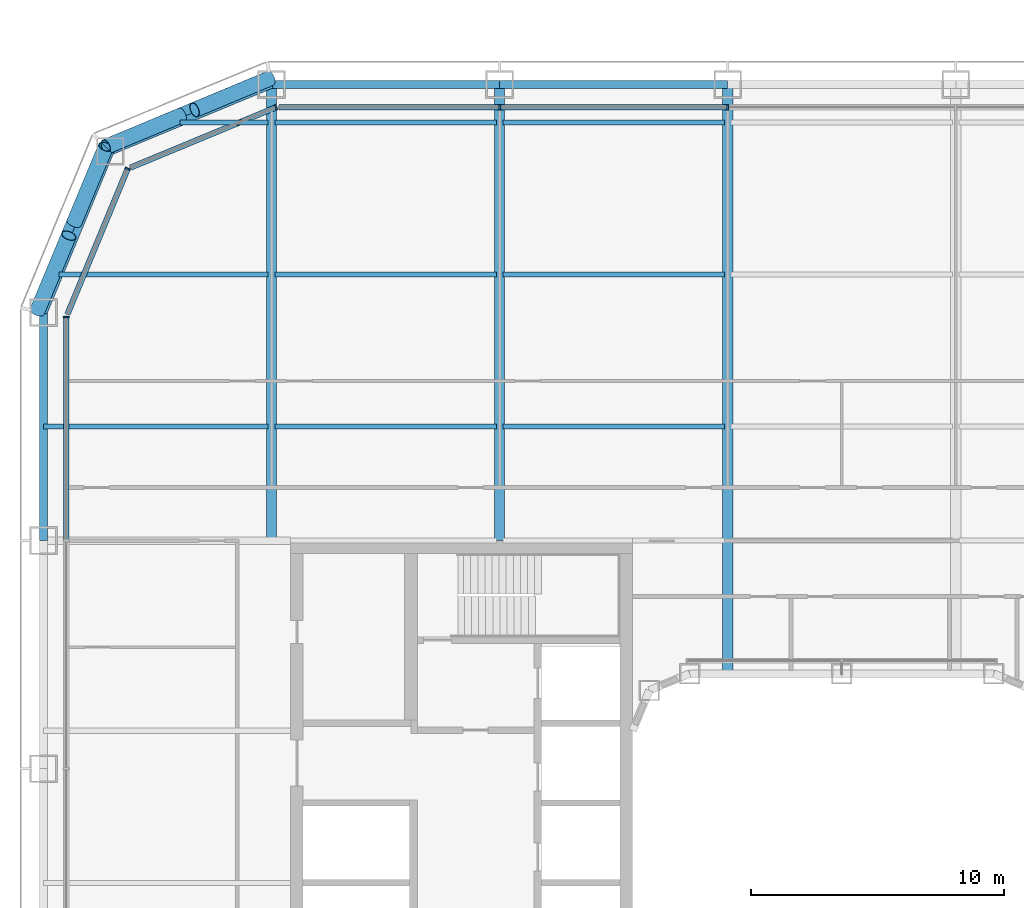
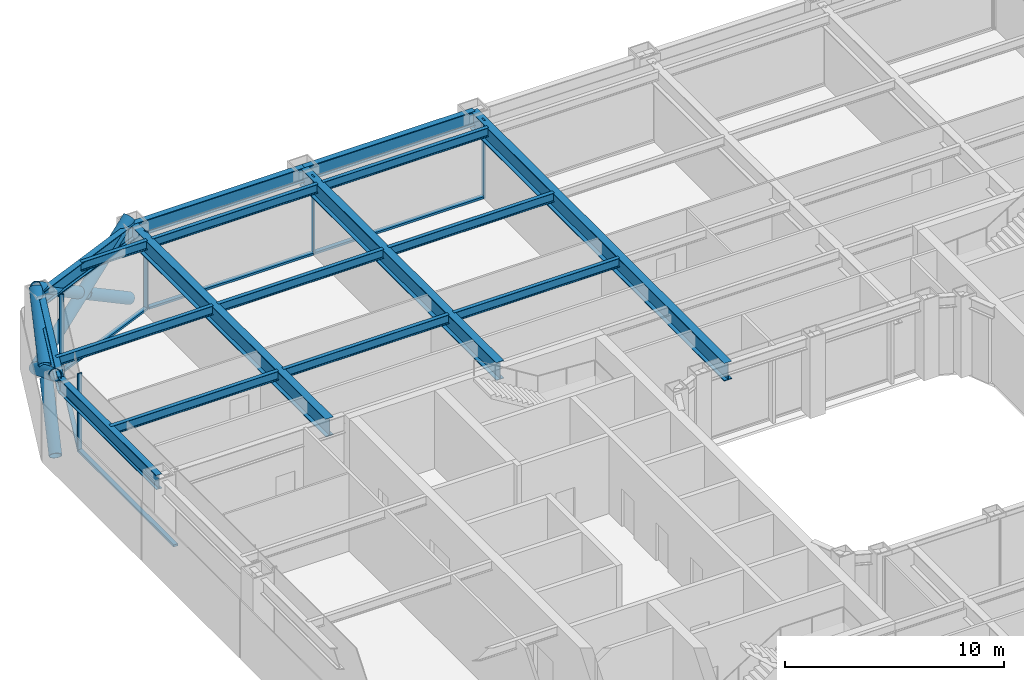
# One storey, part 7 of 30: 17 beams, 16 members, 4 elements without a shape of their own.
"""IFC4 building model written with IfcOpenShell, lengths in metres."""

from ifc_helpers import new_model, si_unit, direction, frame, origin, origin_2d, place, context, subcontext, project, spatial, rectangle, hollow_circle, i_section, extrude, material, layer, layer_set, material_profile, profile_set, type_object, element, aggregate, save


model = new_model("IFC4")

# Units and contexts
model_context = context("Model", 3, precision=1e-05, world=origin(), true_north=direction((0.0, 1.0)))
body_context = subcontext(model_context, "Body", "Model", "MODEL_VIEW")
ifc_project = project(units=[si_unit("LENGTHUNIT", "METRE"), si_unit("AREAUNIT", "SQUARE_METRE"), si_unit("VOLUMEUNIT", "CUBIC_METRE"), si_unit("PLANEANGLEUNIT", "RADIAN"), si_unit("MASSUNIT", "GRAM", prefix="KILO")], contexts=[model_context])

# Site, building, storey
site_placement = place(None, origin())
site = spatial("IfcSite", under=ifc_project, at=site_placement, CompositionType="ELEMENT")
building_placement = place(site_placement, origin())
building = spatial("IfcBuilding", under=site, at=building_placement, Name="Siwar Civic Tower", CompositionType="ELEMENT")
storey_placement = place(building_placement, frame((0.0, 0.0, 26.699951171875)))
storey = spatial("IfcBuildingStorey", under=building, at=storey_placement, Name="L05", CompositionType="ELEMENT", Elevation=26.699951171875)

# Curtain wall, members
ifc_material_1 = material(Name="Aluminium and glass", Category="aluminium")
ifc_layer_1 = layer(ifc_material_1, 0.219970703125)
ifc_layer_set_1 = layer_set([ifc_layer_1], Name="Aluminium and glass")
curtain_wall_type_1 = type_object("IfcCurtainWallType", Name="ENV-CW-A", PredefinedType="NOTDEFINED", material=ifc_layer_set_1)
curtain_wall_1_placement = place(storey_placement, origin())
curtain_wall_1 = element("IfcCurtainWall", 1, at=curtain_wall_1_placement, inside=storey, type_object=curtain_wall_type_1, Name="Curtain wall A N", PredefinedType="NOTDEFINED")
ifc_material_2 = material(Name="Aluminium 6063-T6", Category="aluminium")
ifc_material_profile_1 = material_profile(ifc_material_2, rectangle(XDim=0.219970703125, YDim=0.070068359375, at=origin_2d()), Name="AL 220x70")
ifc_profile_set_1 = profile_set([ifc_material_profile_1], Name="Aluminium 6063-T6")
member_type_1 = type_object("IfcMemberType", Name="ENV-MULLION-A", PredefinedType="MULLION", material=ifc_profile_set_1)
member_1_placement = place(storey_placement, frame((-4.5, 30.60009765625, 0.0), z_axis=(0.0, 0.0, 1.0), x_axis=(0.0, -1.0, 0.0)))
member_1 = element("IfcMember", 2, at=member_1_placement, type_object=member_type_1, Name="Mullion A N 4", PredefinedType="MULLION", context=body_context, shape_type="SweptSolid", body=[
    extrude(rectangle(XDim=0.219970703125, YDim=0.070068359375, at=origin_2d()), origin(), (0.0, 0.0, 1.0), 4.35009765625),
])
member_2_placement = place(storey_placement, frame((-13.5, 30.60009765625, 0.0), z_axis=(0.0, 0.0, 1.0), x_axis=(0.0, -1.0, 0.0)))
member_2 = element("IfcMember", 3, at=member_2_placement, type_object=member_type_1, Name="Mullion A N 5", PredefinedType="MULLION", context=body_context, shape_type="SweptSolid", body=[
    extrude(rectangle(XDim=0.219970703125, YDim=0.070068359375, at=origin_2d()), origin(), (0.0, 0.0, 1.0), 4.35009765625),
])

# Curtain wall, member
ifc_material_3 = material(Name="Aluminium clad insulated panel", Category="aluminium")
ifc_layer_2 = layer(ifc_material_3, 0.219970703125)
ifc_layer_set_2 = layer_set([ifc_layer_2], Name="Aluminium clad insulated panel")
curtain_wall_type_2 = type_object("IfcCurtainWallType", Name="ENV-CW-AX", PredefinedType="NOTDEFINED", material=ifc_layer_set_2)
curtain_wall_2_placement = place(storey_placement, origin())
curtain_wall_2 = element("IfcCurtainWall", 4, at=curtain_wall_2_placement, inside=storey, type_object=curtain_wall_type_2, Name="Curtain wall A NW1", PredefinedType="NOTDEFINED")
member_3_placement = place(storey_placement, frame((-22.321044921875, 30.60009765625, 0.0), z_axis=(0.0, 0.0, 1.0), x_axis=(0.382683432365, -0.923879532511, 0.0)))
member_3 = element("IfcMember", 5, at=member_3_placement, type_object=member_type_1, Name="Mullion A NW1 1", PredefinedType="MULLION", context=body_context, shape_type="SweptSolid", body=[
    extrude(rectangle(XDim=0.219970703125, YDim=0.070068359375, at=origin_2d()), origin(), (0.0, 0.0, 1.0), 4.35009765625),
])

curtain_wall_3_placement = place(storey_placement, origin())
curtain_wall_3 = element("IfcCurtainWall", 6, at=curtain_wall_3_placement, inside=storey, type_object=curtain_wall_type_2, Name="Curtain wall A NW2", PredefinedType="NOTDEFINED")
member_4_placement = place(storey_placement, frame((-28.175048828125, 28.175048828125, 0.0), z_axis=(0.0, 0.0, 1.0), x_axis=(0.923879532511, -0.382683432365, 0.0)))
member_4 = element("IfcMember", 7, at=member_4_placement, type_object=member_type_1, Name="Mullion A NW2 1", PredefinedType="MULLION", context=body_context, shape_type="SweptSolid", body=[
    extrude(rectangle(XDim=0.219970703125, YDim=0.070068359375, at=origin_2d()), origin(), (0.0, 0.0, 1.0), 4.35009765625),
])

curtain_wall_4_placement = place(storey_placement, origin())
curtain_wall_4 = element("IfcCurtainWall", 8, at=curtain_wall_4_placement, inside=storey, type_object=curtain_wall_type_1, Name="Curtain wall A W", PredefinedType="NOTDEFINED")
member_5_placement = place(storey_placement, frame((-30.60009765625, 22.321044921875, 0.0), z_axis=(0.0, 0.0, 1.0), x_axis=(1.0, 0.0, 0.0)))
member_5 = element("IfcMember", 9, at=member_5_placement, type_object=member_type_1, Name="Mullion A W 1", PredefinedType="MULLION", context=body_context, shape_type="SweptSolid", body=[
    extrude(rectangle(XDim=0.219970703125, YDim=0.070068359375, at=origin_2d()), origin(), (0.0, 0.0, 1.0), 4.35009765625),
])

# Member
ifc_material_4 = material(Name="Aluminium 6063-T6", Category="aluminium")
ifc_material_profile_2 = material_profile(ifc_material_4, rectangle(XDim=0.219970703125, YDim=0.1201171875, at=origin_2d()), Name="AL 220x120")
ifc_profile_set_2 = profile_set([ifc_material_profile_2], Name="Aluminium 6063-T6")
member_type_2 = type_object("IfcMemberType", Name="ENV-TRANSOM-A", PredefinedType="USERDEFINED", material=ifc_profile_set_2)
member_6_placement = place(storey_placement, frame((-4.534912109375, 30.60009765625, 0.06005859375), z_axis=(-1.0, 0.0, 0.0), x_axis=(0.0, -1.0, 0.0)))
member_6 = element("IfcMember", 10, at=member_6_placement, type_object=member_type_2, Name="Transom A N 4", ObjectType="TRANSOM", PredefinedType="USERDEFINED", context=body_context, shape_type="SweptSolid", body=[
    extrude(rectangle(XDim=0.219970703125, YDim=0.1201171875, at=origin_2d()), origin(), (0.0, 0.0, 1.0), 8.93017578125),
])

member_7_placement = place(storey_placement, frame((-13.534912109375, 30.60009765625, 0.06005859375), z_axis=(-1.0, 0.0, 0.0), x_axis=(0.0, -1.0, 0.0)))
member_7 = element("IfcMember", 11, at=member_7_placement, type_object=member_type_2, Name="Transom A N 5", ObjectType="TRANSOM", PredefinedType="USERDEFINED", context=body_context, shape_type="SweptSolid", body=[
    extrude(rectangle(XDim=0.219970703125, YDim=0.1201171875, at=origin_2d()), origin(), (0.0, 0.0, 1.0), 8.66357421875),
])

aggregate(curtain_wall_1, [member_1, member_2, member_6, member_7])

member_8_placement = place(storey_placement, frame((-22.353271484375, 30.586669921875, 0.06005859375), z_axis=(-0.923873326341, -0.382698415042, 0.0), x_axis=(0.382698415042, -0.923873326341, 0.0)))
member_8 = element("IfcMember", 12, at=member_8_placement, type_object=member_type_2, Name="Transom A NW1 1", ObjectType="TRANSOM", PredefinedType="USERDEFINED", context=body_context, shape_type="SweptSolid", body=[
    extrude(rectangle(XDim=0.219970703125, YDim=0.1201171875, at=origin_2d()), origin(), (0.0, 0.0, 1.0), 6.17919921875),
])

aggregate(curtain_wall_2, [member_3, member_8])

member_9_placement = place(storey_placement, frame((-28.1884765625, 28.142822265625, 0.06005859375), z_axis=(-0.382698415042, -0.923873326341, 0.0), x_axis=(0.923873326341, -0.382698415042, 0.0)))
member_9 = element("IfcMember", 13, at=member_9_placement, type_object=member_type_2, Name="Transom A NW2 1", ObjectType="TRANSOM", PredefinedType="USERDEFINED", context=body_context, shape_type="SweptSolid", body=[
    extrude(rectangle(XDim=0.219970703125, YDim=0.1201171875, at=origin_2d()), origin(), (0.0, 0.0, 1.0), 6.17919921875),
])

aggregate(curtain_wall_3, [member_4, member_9])

member_10_placement = place(storey_placement, frame((-30.60009765625, 22.285888671875, 0.06005859375), z_axis=(0.0, -1.0, 0.0), x_axis=(1.0, 0.0, 0.0)))
member_10 = element("IfcMember", 14, at=member_10_placement, type_object=member_type_2, Name="Transom A W 1", ObjectType="TRANSOM", PredefinedType="USERDEFINED", context=body_context, shape_type="SweptSolid", body=[
    extrude(rectangle(XDim=0.219970703125, YDim=0.1201171875, at=origin_2d()), origin(), (0.0, 0.0, 1.0), 8.7509765625),
])

aggregate(curtain_wall_4, [member_5, member_10])

# Members
ifc_material_5 = material(Name="Steel S355", Category="steel")
ifc_material_profile_3 = material_profile(ifc_material_5, hollow_circle(Radius=0.304931640625, WallThickness=0.030029296875, at=origin_2d()), Name="CHS610x30")
ifc_profile_set_3 = profile_set([ifc_material_profile_3], Name="Steel S355")
member_type_3 = type_object("IfcMemberType", Name="STR-BR-CHS610x30", PredefinedType="BRACE", material=ifc_profile_set_3)
member_11_placement = place(storey_placement, frame((-29.040771484375, 29.040771484375, 0.0), z_axis=(-0.323905527954, -0.777554562952, 0.538975055633), x_axis=(0.923108759191, -0.384538969033, 0.0)))
element("IfcMember", 15, at=member_11_placement, inside=storey, type_object=member_type_3, Name="L05/brc/ANW1-4-0-1", PredefinedType="BRACE", context=body_context, shape_type="SweptSolid", body=[
    extrude(hollow_circle(Radius=0.304931640625, WallThickness=0.030029296875, at=origin_2d()), origin(), (0.0, 0.0, 1.0), 8.34912109375),
])
member_12_placement = place(storey_placement, frame((-31.7451171875, 22.548828125, 0.0), z_axis=(0.323882123145, 0.777533059308, 0.539020140617), x_axis=(-0.923114847559, 0.384524353215, 0.0)))
element("IfcMember", 16, at=member_12_placement, inside=storey, type_object=member_type_3, Name="L05/brc/ANW1-4-0-2", PredefinedType="BRACE", context=body_context, shape_type="SweptSolid", body=[
    extrude(hollow_circle(Radius=0.304931640625, WallThickness=0.030029296875, at=origin_2d()), origin(), (0.0, 0.0, 1.0), 3.843505859375),
])
member_13_placement = place(storey_placement, frame((-30.285888671875, 26.052001953125, 2.428466796875), z_axis=(0.323934068367, 0.777568797048, 0.538937366685), x_axis=(-0.923099230484, 0.384561842466, 0.0)))
element("IfcMember", 17, at=member_13_placement, inside=storey, type_object=member_type_3, Name="L05/brc/ANW1-4-0-3", PredefinedType="BRACE", context=body_context, shape_type="SweptSolid", body=[
    extrude(hollow_circle(Radius=0.304931640625, WallThickness=0.030029296875, at=origin_2d()), origin(), (0.0, 0.0, 1.0), 3.84375),
])
member_14_placement = place(storey_placement, frame((-29.040771484375, 29.040771484375, 0.0), z_axis=(0.777554562952, 0.323905527954, 0.538975055633), x_axis=(-0.384538969033, 0.923108759191, 0.0)))
element("IfcMember", 18, at=member_14_placement, inside=storey, type_object=member_type_3, Name="L05/brc/ANW1-4-0-0", PredefinedType="BRACE", context=body_context, shape_type="SweptSolid", body=[
    extrude(hollow_circle(Radius=0.304931640625, WallThickness=0.030029296875, at=origin_2d()), origin(), (0.0, 0.0, 1.0), 8.34912109375),
])
member_15_placement = place(storey_placement, frame((-22.548828125, 31.7451171875, 0.0), z_axis=(-0.777533059308, -0.323882123145, 0.539020140617), x_axis=(0.384524353215, -0.923114847559, 0.0)))
element("IfcMember", 19, at=member_15_placement, inside=storey, type_object=member_type_3, Name="L05/brc/ANW1-4-0-4", PredefinedType="BRACE", context=body_context, shape_type="SweptSolid", body=[
    extrude(hollow_circle(Radius=0.304931640625, WallThickness=0.030029296875, at=origin_2d()), origin(), (0.0, 0.0, 1.0), 3.843505859375),
])
member_16_placement = place(storey_placement, frame((-26.052001953125, 30.285888671875, 2.428466796875), z_axis=(-0.777568797048, -0.323934068367, 0.538937366685), x_axis=(0.384561842466, -0.923099230484, 0.0)))
element("IfcMember", 20, at=member_16_placement, inside=storey, type_object=member_type_3, Name="L05/brc/ANW1-4-0-5", PredefinedType="BRACE", context=body_context, shape_type="SweptSolid", body=[
    extrude(hollow_circle(Radius=0.304931640625, WallThickness=0.030029296875, at=origin_2d()), origin(), (0.0, 0.0, 1.0), 3.84375),
])

# Beams
ifc_material_6 = material(Name="Steel S355", Category="steel")
ifc_material_profile_4 = material_profile(ifc_material_6, i_section(OverallWidth=0.199951171875, OverallDepth=0.5, WebThickness=0.01025390625, FlangeThickness=0.01611328125, FilletRadius=0.02099609375, at=origin_2d()), Name="IPE500")
ifc_profile_set_4 = profile_set([ifc_material_profile_4], Name="Steel S355")
beam_type_1 = type_object("IfcBeamType", Name="STR-FB-IPE500", PredefinedType="JOIST", material=ifc_profile_set_4)
beam_1_placement = place(storey_placement, frame((-31.5, 18.0, 4.10009765625), z_axis=(1.0, 0.0, 0.0), x_axis=(0.0, 1.0, 0.0)))
element("IfcBeam", 21, at=beam_1_placement, inside=storey, type_object=beam_type_1, Name="L05/bm/F046", PredefinedType="JOIST", context=body_context, shape_type="SweptSolid", body=[
    extrude(i_section(OverallWidth=0.199951171875, OverallDepth=0.5, WebThickness=0.01025390625, FlangeThickness=0.01611328125, FilletRadius=0.02099609375, at=origin_2d()), origin(), (0.0, 0.0, 1.0), 8.8701171875),
])
for number, where, z_axis, x_axis, name in (
    (22, (-22.3701171875, 18.0, 4.10009765625), (1.0, 0.0, 0.0), (0.0, 1.0, 0.0), "L05/bm/F047"),
    (23, (-13.3701171875, 18.0, 4.10009765625), (1.0, 0.0, 0.0), (0.0, 1.0, 0.0), "L05/bm/F048"),
):
    element("IfcBeam", number, at=place(storey_placement, frame(where, z_axis=z_axis, x_axis=x_axis)), inside=storey, type_object=beam_type_1, Name=name, PredefinedType="JOIST", context=body_context, shape_type="SweptSolid", body=[
        extrude(i_section(OverallWidth=0.199951171875, OverallDepth=0.5, WebThickness=0.01025390625, FlangeThickness=0.01611328125, FilletRadius=0.02099609375, at=origin_2d()), origin(), (0.0, 0.0, 1.0), 8.740234375),
    ])
beam_2_placement = place(storey_placement, frame((-30.878662109375, 24.0, 4.10009765625), z_axis=(1.0, 0.0, 0.0), x_axis=(0.0, 1.0, 0.0)))
element("IfcBeam", 24, at=beam_2_placement, inside=storey, type_object=beam_type_1, Name="L05/bm/F053", PredefinedType="JOIST", context=body_context, shape_type="SweptSolid", body=[
    extrude(i_section(OverallWidth=0.199951171875, OverallDepth=0.5, WebThickness=0.01025390625, FlangeThickness=0.01611328125, FilletRadius=0.02099609375, at=origin_2d()), origin(), (0.0, 0.0, 1.0), 8.248779296875),
])
for number, where, z_axis, x_axis, name in (
    (25, (-22.3701171875, 24.0, 4.10009765625), (1.0, 0.0, 0.0), (0.0, 1.0, 0.0), "L05/bm/F054"),
    (26, (-13.3701171875, 24.0, 4.10009765625), (1.0, 0.0, 0.0), (0.0, 1.0, 0.0), "L05/bm/F055"),
):
    element("IfcBeam", number, at=place(storey_placement, frame(where, z_axis=z_axis, x_axis=x_axis)), inside=storey, type_object=beam_type_1, Name=name, PredefinedType="JOIST", context=body_context, shape_type="SweptSolid", body=[
        extrude(i_section(OverallWidth=0.199951171875, OverallDepth=0.5, WebThickness=0.01025390625, FlangeThickness=0.01611328125, FilletRadius=0.02099609375, at=origin_2d()), origin(), (0.0, 0.0, 1.0), 8.740234375),
    ])
beam_3_placement = place(storey_placement, frame((-26.121337890625, 30.0, 4.10009765625), z_axis=(1.0, 0.0, 0.0), x_axis=(0.0, 1.0, 0.0)))
element("IfcBeam", 27, at=beam_3_placement, inside=storey, type_object=beam_type_1, Name="L05/bm/F060", PredefinedType="JOIST", context=body_context, shape_type="SweptSolid", body=[
    extrude(i_section(OverallWidth=0.199951171875, OverallDepth=0.5, WebThickness=0.01025390625, FlangeThickness=0.01611328125, FilletRadius=0.02099609375, at=origin_2d()), origin(), (0.0, 0.0, 1.0), 3.491455078125),
])
for number, where, z_axis, x_axis, name in (
    (28, (-22.3701171875, 30.0, 4.10009765625), (1.0, 0.0, 0.0), (0.0, 1.0, 0.0), "L05/bm/F061"),
    (29, (-13.3701171875, 30.0, 4.10009765625), (1.0, 0.0, 0.0), (0.0, 1.0, 0.0), "L05/bm/F062"),
):
    element("IfcBeam", number, at=place(storey_placement, frame(where, z_axis=z_axis, x_axis=x_axis)), inside=storey, type_object=beam_type_1, Name=name, PredefinedType="JOIST", context=body_context, shape_type="SweptSolid", body=[
        extrude(i_section(OverallWidth=0.199951171875, OverallDepth=0.5, WebThickness=0.01025390625, FlangeThickness=0.01611328125, FilletRadius=0.02099609375, at=origin_2d()), origin(), (0.0, 0.0, 1.0), 8.740234375),
    ])
ifc_material_7 = material(Name="Steel S355", Category="steel")
ifc_material_profile_5 = material_profile(ifc_material_7, i_section(OverallWidth=0.39990234375, OverallDepth=1.0, WebThickness=0.01611328125, FlangeThickness=0.0400390625, at=origin_2d()), Name="PG1000x400x16x40")
ifc_profile_set_5 = profile_set([ifc_material_profile_5], Name="Steel S355")
beam_type_2 = type_object("IfcBeamType", Name="STR-PG-PG1000x400x16x40", PredefinedType="BEAM", material=ifc_profile_set_5)
for number, where, z_axis, x_axis, name in (
    (30, (-22.5, 13.5, 3.85009765625), (0.0, 1.0, 0.0), (-1.0, 0.0, 0.0), "L05/bm/G02"),
    (31, (-13.5, 13.5, 3.85009765625), (0.0, 1.0, 0.0), (-1.0, 0.0, 0.0), "L05/bm/G04"),
):
    element("IfcBeam", number, at=place(storey_placement, frame(where, z_axis=z_axis, x_axis=x_axis)), inside=storey, type_object=beam_type_2, Name=name, PredefinedType="BEAM", context=body_context, shape_type="SweptSolid", body=[
        extrude(i_section(OverallWidth=0.39990234375, OverallDepth=1.0, WebThickness=0.01611328125, FlangeThickness=0.0400390625, at=origin_2d()), origin(), (0.0, 0.0, 1.0), 18.0),
    ])
beam_4_placement = place(storey_placement, frame((-4.5, 8.25, 3.85009765625), z_axis=(0.0, 1.0, 0.0), x_axis=(-1.0, 0.0, 0.0)))
element("IfcBeam", 32, at=beam_4_placement, inside=storey, type_object=beam_type_2, Name="L05/bm/G06", PredefinedType="BEAM", context=body_context, shape_type="SweptSolid", body=[
    extrude(i_section(OverallWidth=0.39990234375, OverallDepth=1.0, WebThickness=0.01611328125, FlangeThickness=0.0400390625, at=origin_2d()), origin(), (0.0, 0.0, 1.0), 23.25),
])
ifc_material_8 = material(Name="Steel S355", Category="steel")
ifc_material_profile_6 = material_profile(ifc_material_8, i_section(OverallWidth=0.302978515625, OverallDepth=0.81396484375, WebThickness=0.02099609375, FlangeThickness=0.0400390625, FilletRadius=0.030029296875, at=origin_2d()), Name="HEM800")
ifc_profile_set_6 = profile_set([ifc_material_profile_6], Name="Steel S355")
beam_type_3 = type_object("IfcBeamType", Name="STR-SB-HEM800", PredefinedType="BEAM", material=ifc_profile_set_6)
for number, where, z_axis, x_axis, name in (
    (33, (-4.5, 31.5, 3.943115234375), (-1.0, 0.0, 0.0), (0.0, -1.0, 0.0), "L05/bm/SN-3"),
    (34, (-13.5, 31.5, 3.943115234375), (-1.0, 0.0, 0.0), (0.0, -1.0, 0.0), "L05/bm/SN-4"),
):
    element("IfcBeam", number, at=place(storey_placement, frame(where, z_axis=z_axis, x_axis=x_axis)), inside=storey, type_object=beam_type_3, Name=name, PredefinedType="BEAM", context=body_context, shape_type="SweptSolid", body=[
        extrude(i_section(OverallWidth=0.302978515625, OverallDepth=0.81396484375, WebThickness=0.02099609375, FlangeThickness=0.0400390625, FilletRadius=0.030029296875, at=origin_2d()), origin(), (0.0, 0.0, 1.0), 9.0),
    ])
for number, where, z_axis, x_axis, name in (
    (35, (-22.5, 31.5, 3.943115234375), (-0.923883353507, -0.382674207535, 0.0), (0.382674207535, -0.923883353507, 0.0), "L05/bm/SNW1-0"),
    (36, (-28.864013671875, 28.864013671875, 3.943115234375), (-0.382674207535, -0.923883353507, 0.0), (0.923883353507, -0.382674207535, 0.0), "L05/bm/SNW2-0"),
):
    element("IfcBeam", number, at=place(storey_placement, frame(where, z_axis=z_axis, x_axis=x_axis)), inside=storey, type_object=beam_type_3, Name=name, PredefinedType="BEAM", context=body_context, shape_type="SweptSolid", body=[
        extrude(i_section(OverallWidth=0.302978515625, OverallDepth=0.81396484375, WebThickness=0.02099609375, FlangeThickness=0.0400390625, FilletRadius=0.030029296875, at=origin_2d()), origin(), (0.0, 0.0, 1.0), 6.888427734375),
    ])
beam_5_placement = place(storey_placement, frame((-31.5, 22.5, 3.943115234375), z_axis=(0.0, -1.0, 0.0), x_axis=(1.0, 0.0, 0.0)))
element("IfcBeam", 37, at=beam_5_placement, inside=storey, type_object=beam_type_3, Name="L05/bm/SW-0", PredefinedType="BEAM", context=body_context, shape_type="SweptSolid", body=[
    extrude(i_section(OverallWidth=0.302978515625, OverallDepth=0.81396484375, WebThickness=0.02099609375, FlangeThickness=0.0400390625, FilletRadius=0.030029296875, at=origin_2d()), origin(), (0.0, 0.0, 1.0), 9.0),
])

save(model, "model.ifc")
